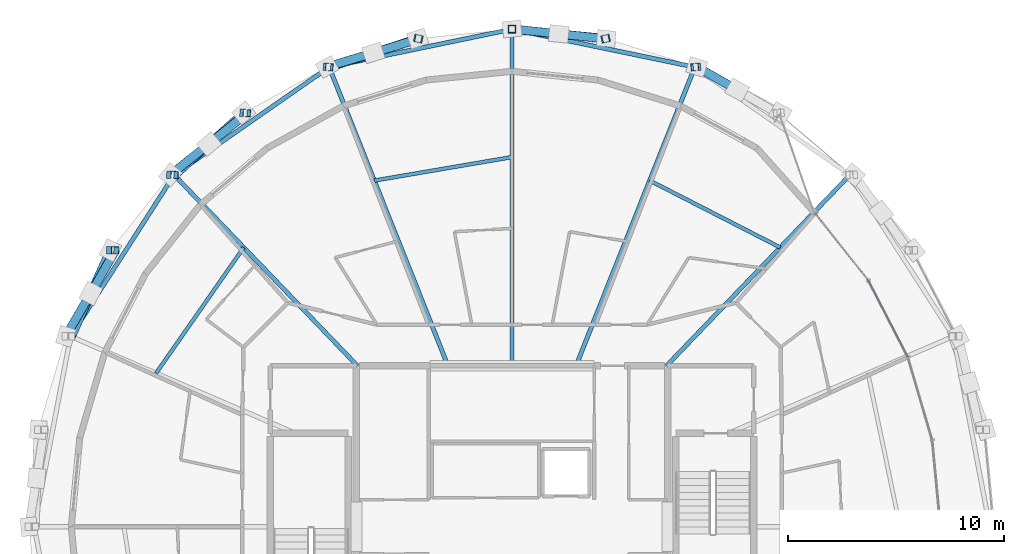
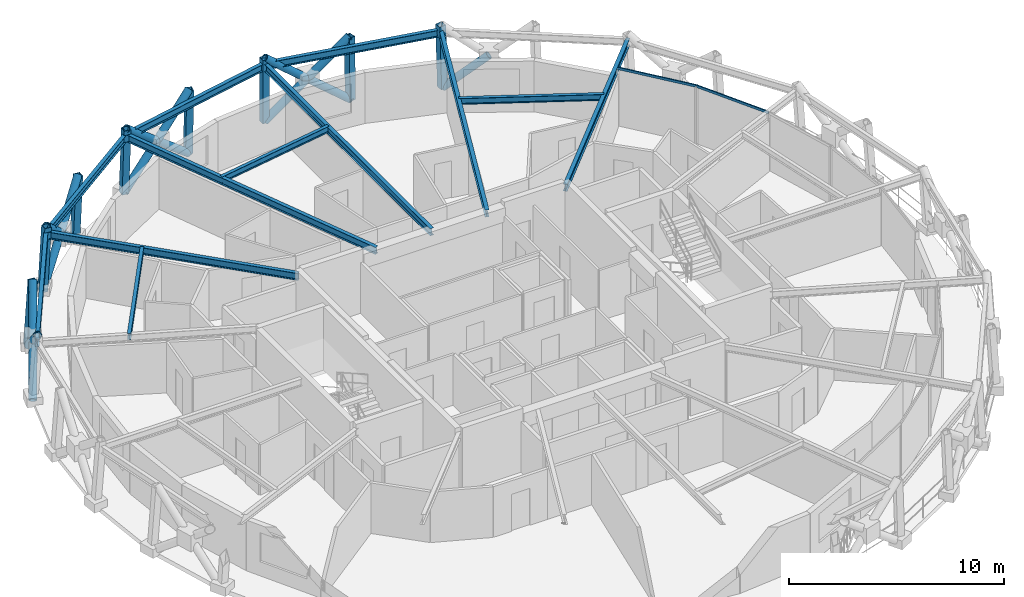
# One storey, part 7 of 15: 23 members, 12 beams, 1 element without a shape of its own.
"""IFC4 building model written with IfcOpenShell, lengths in metres."""

from ifc_helpers import new_model, si_unit, direction, frame, origin, origin_2d, place, context, subcontext, project, spatial, hollow_rectangle, hollow_circle, i_section, extrude, material, layer, layer_set, material_profile, profile_set, type_object, element, aggregate, save


model = new_model("IFC4")

# Units and contexts
model_context = context("Model", 3, precision=1e-05, world=origin(), true_north=direction((0.0, 1.0)))
body_context = subcontext(model_context, "Body", "Model", "MODEL_VIEW")
ifc_project = project(units=[si_unit("LENGTHUNIT", "METRE"), si_unit("AREAUNIT", "SQUARE_METRE"), si_unit("VOLUMEUNIT", "CUBIC_METRE"), si_unit("PLANEANGLEUNIT", "RADIAN"), si_unit("MASSUNIT", "GRAM", prefix="KILO")], contexts=[model_context])

# Site, building, storey
site_placement = place(None, origin())
site = spatial("IfcSite", under=ifc_project, at=site_placement, CompositionType="ELEMENT")
building_placement = place(site_placement, origin())
building = spatial("IfcBuilding", under=site, at=building_placement, Name="Veldorina Hangang Commons", CompositionType="ELEMENT")
storey_placement = place(building_placement, frame((0.0, 0.0, 258.0)))
storey = spatial("IfcBuildingStorey", under=building, at=storey_placement, Name="L67", CompositionType="ELEMENT", Elevation=258.0)

# Beams
ifc_material_1 = material(Name="Steel SM355-TMC", Category="steel")
ifc_material_profile_1 = material_profile(ifc_material_1, i_section(OverallWidth=0.199951171875, OverallDepth=0.39990234375, WebThickness=0.008056640625, FlangeThickness=0.012939453125, FilletRadius=0.012939453125, at=origin_2d()), Name="H-400x200x8x13")
ifc_profile_set_1 = profile_set([ifc_material_profile_1], Name="Steel SM355-TMC")
beam_type_1 = type_object("IfcBeamType", Name="BM-FG400", PredefinedType="BEAM", material=ifc_profile_set_1)
beam_1_placement = place(storey_placement, frame((39.154296875, 31.449951171875, 3.159912109375), z_axis=(0.69265262439, 0.721271337241, 0.0), x_axis=(-0.721271337241, 0.69265262439, 0.0)))
element("IfcBeam", 1, at=beam_1_placement, inside=storey, type_object=beam_type_1, Name="L67 radial floor girder 03", PredefinedType="BEAM", context=body_context, shape_type="SweptSolid", body=[
    extrude(i_section(OverallWidth=0.199951171875, OverallDepth=0.39990234375, WebThickness=0.008056640625, FlangeThickness=0.012939453125, FilletRadius=0.012939453125, at=origin_2d()), origin(), (0.0, 0.0, 1.0), 12.24169921875),
])
beam_2_placement = place(storey_placement, frame((34.96337890625, 31.449951171875, 3.159912109375), z_axis=(0.369604210272, 0.92918928521, 0.0), x_axis=(-0.92918928521, 0.369604210272, 0.0)))
element("IfcBeam", 2, at=beam_2_placement, inside=storey, type_object=beam_type_1, Name="L67 radial floor girder 04", PredefinedType="BEAM", context=body_context, shape_type="SweptSolid", body=[
    extrude(i_section(OverallWidth=0.199951171875, OverallDepth=0.39990234375, WebThickness=0.008056640625, FlangeThickness=0.012939453125, FilletRadius=0.012939453125, at=origin_2d()), origin(), (0.0, 0.0, 1.0), 14.87353515625),
])
beam_3_placement = place(storey_placement, frame((32.0, 31.449951171875, 3.159912109375), z_axis=(0.0, 1.0, 0.0), x_axis=(-1.0, 0.0, 0.0)))
element("IfcBeam", 3, at=beam_3_placement, inside=storey, type_object=beam_type_1, Name="L67 radial floor girder 05", PredefinedType="BEAM", context=body_context, shape_type="SweptSolid", body=[
    extrude(i_section(OverallWidth=0.199951171875, OverallDepth=0.39990234375, WebThickness=0.008056640625, FlangeThickness=0.012939453125, FilletRadius=0.012939453125, at=origin_2d()), origin(), (0.0, 0.0, 1.0), 15.57275390625),
])
beam_4_placement = place(storey_placement, frame((29.03662109375, 31.449951171875, 3.159912109375), z_axis=(-0.369604210272, 0.92918928521, 0.0), x_axis=(-0.92918928521, -0.369604210272, 0.0)))
element("IfcBeam", 4, at=beam_4_placement, inside=storey, type_object=beam_type_1, Name="L67 radial floor girder 06", PredefinedType="BEAM", context=body_context, shape_type="SweptSolid", body=[
    extrude(i_section(OverallWidth=0.199951171875, OverallDepth=0.39990234375, WebThickness=0.008056640625, FlangeThickness=0.012939453125, FilletRadius=0.012939453125, at=origin_2d()), origin(), (0.0, 0.0, 1.0), 14.87353515625),
])
beam_5_placement = place(storey_placement, frame((24.845703125, 31.449951171875, 3.159912109375), z_axis=(-0.69265262439, 0.721271337241, 0.0), x_axis=(-0.721271337241, -0.69265262439, 0.0)))
element("IfcBeam", 5, at=beam_5_placement, inside=storey, type_object=beam_type_1, Name="L67 radial floor girder 07", PredefinedType="BEAM", context=body_context, shape_type="SweptSolid", body=[
    extrude(i_section(OverallWidth=0.199951171875, OverallDepth=0.39990234375, WebThickness=0.008056640625, FlangeThickness=0.012939453125, FilletRadius=0.012939453125, at=origin_2d()), origin(), (0.0, 0.0, 1.0), 12.24169921875),
])
ifc_material_profile_2 = material_profile(ifc_material_1, i_section(OverallWidth=0.175048828125, OverallDepth=0.35009765625, WebThickness=0.007080078125, FlangeThickness=0.010986328125, FilletRadius=0.012939453125, at=origin_2d()), Name="H-350x175x7x11")
ifc_profile_set_2 = profile_set([ifc_material_profile_2], Name="Steel SM355-TMC")
beam_type_2 = type_object("IfcBeamType", Name="BM-JST350", PredefinedType="JOIST", material=ifc_profile_set_2)
beam_6_placement = place(storey_placement, frame((44.411376953125, 36.92431640625, 3.18505859375), z_axis=(-0.889994938613, 0.455970403912, 0.0), x_axis=(-0.455970403912, -0.889994938613, 0.0)))
element("IfcBeam", 6, at=beam_6_placement, inside=storey, type_object=beam_type_2, Name="L67 secondary floor joist 03", PredefinedType="JOIST", context=body_context, shape_type="SweptSolid", body=[
    extrude(i_section(OverallWidth=0.175048828125, OverallDepth=0.35009765625, WebThickness=0.007080078125, FlangeThickness=0.010986328125, FilletRadius=0.012939453125, at=origin_2d()), origin(), (0.0, 0.0, 1.0), 6.7861328125),
])
beam_7_placement = place(storey_placement, frame((32.0, 41.10498046875, 3.18505859375), z_axis=(-0.985773538911, -0.168078939735, 0.0), x_axis=(0.168078939735, -0.985773538911, 0.0)))
element("IfcBeam", 7, at=beam_7_placement, inside=storey, type_object=beam_type_2, Name="L67 secondary floor joist 05", PredefinedType="JOIST", context=body_context, shape_type="SweptSolid", body=[
    extrude(i_section(OverallWidth=0.175048828125, OverallDepth=0.35009765625, WebThickness=0.007080078125, FlangeThickness=0.010986328125, FilletRadius=0.012939453125, at=origin_2d()), origin(), (0.0, 0.0, 1.0), 6.4638671875),
])
beam_8_placement = place(storey_placement, frame((19.588623046875, 36.92431640625, 3.18505859375), z_axis=(-0.572006672255, -0.820248966409, 0.0), x_axis=(0.820248966409, -0.572006672255, 0.0)))
element("IfcBeam", 8, at=beam_8_placement, inside=storey, type_object=beam_type_2, Name="L67 secondary floor joist 07", PredefinedType="JOIST", context=body_context, shape_type="SweptSolid", body=[
    extrude(i_section(OverallWidth=0.175048828125, OverallDepth=0.35009765625, WebThickness=0.007080078125, FlangeThickness=0.010986328125, FilletRadius=0.012939453125, at=origin_2d()), origin(), (0.0, 0.0, 1.0), 7.095703125),
])
ifc_material_profile_3 = material_profile(ifc_material_1, i_section(OverallWidth=0.199951171875, OverallDepth=0.39990234375, WebThickness=0.008056640625, FlangeThickness=0.012939453125, FilletRadius=0.012939453125, at=origin_2d()), Name="H-400x200x8x13")
ifc_profile_set_3 = profile_set([ifc_material_profile_3], Name="Steel SM355-TMC")
beam_type_3 = type_object("IfcBeamType", Name="BM-RB400", PredefinedType="BEAM", material=ifc_profile_set_3)
for number, where, z_axis, x_axis, name in (
    (9, (40.460693359375, 45.270263671875, 3.159912109375), (-0.97921554659, 0.202822368877, 0.0), (-0.202822368877, -0.97921554659, 0.0), "L67 perimeter hoop ring beam 06"),
    (10, (32.0, 47.022705078125, 3.159912109375), (-0.97921554659, -0.202822368877, 0.0), (0.202822368877, -0.97921554659, 0.0), "L67 perimeter hoop ring beam 08"),
):
    element("IfcBeam", number, at=place(storey_placement, frame(where, z_axis=z_axis, x_axis=x_axis)), inside=storey, type_object=beam_type_3, Name=name, PredefinedType="BEAM", context=body_context, shape_type="SweptSolid", body=[
        extrude(i_section(OverallWidth=0.199951171875, OverallDepth=0.39990234375, WebThickness=0.008056640625, FlangeThickness=0.012939453125, FilletRadius=0.012939453125, at=origin_2d()), origin(), (0.0, 0.0, 1.0), 8.640380859375),
    ])
beam_9_placement = place(storey_placement, frame((23.539306640625, 45.270263671875, 3.159912109375), z_axis=(-0.820856224935, -0.571134885981, 0.0), x_axis=(0.571134885981, -0.820856224935, 0.0)))
element("IfcBeam", 11, at=beam_9_placement, inside=storey, type_object=beam_type_3, Name="L67 perimeter hoop ring beam 10", PredefinedType="BEAM", context=body_context, shape_type="SweptSolid", body=[
    extrude(i_section(OverallWidth=0.199951171875, OverallDepth=0.39990234375, WebThickness=0.008056640625, FlangeThickness=0.012939453125, FilletRadius=0.012939453125, at=origin_2d()), origin(), (0.0, 0.0, 1.0), 8.73828125),
])
beam_10_placement = place(storey_placement, frame((16.366455078125, 40.279541015625, 3.159912109375), z_axis=(-0.540026031638, -0.841648314413, 0.0), x_axis=(0.841648314413, -0.540026031638, 0.0)))
element("IfcBeam", 12, at=beam_10_placement, inside=storey, type_object=beam_type_3, Name="L67 perimeter hoop ring beam 12", PredefinedType="BEAM", context=body_context, shape_type="SweptSolid", body=[
    extrude(i_section(OverallWidth=0.199951171875, OverallDepth=0.39990234375, WebThickness=0.008056640625, FlangeThickness=0.012939453125, FilletRadius=0.012939453125, at=origin_2d()), origin(), (0.0, 0.0, 1.0), 8.87451171875),
])

# Curtain wall, members
ifc_material_2 = material(Name="Glass Low-E Selective", Category="glass")
ifc_layer = layer(ifc_material_2, 0.179931640625)
ifc_layer_set = layer_set([ifc_layer], Name="Glass Low-E Selective")
curtain_wall_type = type_object("IfcCurtainWallType", Name="CW-SYS-Z3", PredefinedType="NOTDEFINED", material=ifc_layer_set)
curtain_wall_placement = place(storey_placement, origin())
curtain_wall = element("IfcCurtainWall", 13, at=curtain_wall_placement, inside=storey, type_object=curtain_wall_type, Name="L67 unitised curtain wall CW-L67-R2", PredefinedType="NOTDEFINED")
ifc_material_3 = material(Name="Aluminium Anodized AA6063-T6", Category="aluminium")
ifc_material_profile_4 = material_profile(ifc_material_3, hollow_rectangle(XDim=0.06005859375, YDim=0.139892578125, WallThickness=0.00341796875, at=origin_2d()), Name="ALU-RHS-140x60x3.5")
ifc_profile_set_4 = profile_set([ifc_material_profile_4], Name="Aluminium Anodized AA6063-T6")
member_type_1 = type_object("IfcMemberType", Name="CW-TRN-140", PredefinedType="USERDEFINED", material=ifc_profile_set_4)
member_1_placement = place(storey_placement, frame((50.322998046875, 31.85009765625, 3.280029296875), z_axis=(-0.459063497262, 0.888403458729, 0.0), x_axis=(-0.888403458729, -0.459063497262, 0.0)))
member_1 = element("IfcMember", 14, at=member_1_placement, type_object=member_type_1, Name="CW-L67-R2 facet 4 transom 1", ObjectType="TRANSOM", PredefinedType="USERDEFINED", context=body_context, shape_type="SweptSolid", body=[
    extrude(hollow_rectangle(XDim=0.06005859375, YDim=0.139892578125, WallThickness=0.00341796875, at=origin_2d()), origin(), (0.0, 0.0, 1.0), 3.991943359375),
])
member_2_placement = place(storey_placement, frame((48.490478515625, 35.396484375, 3.280029296875), z_axis=(-0.621561391364, 0.783365455433, 0.0), x_axis=(-0.783365455433, -0.621561391364, 0.0)))
member_2 = element("IfcMember", 15, at=member_2_placement, type_object=member_type_1, Name="CW-L67-R2 facet 5 transom 1", ObjectType="TRANSOM", PredefinedType="USERDEFINED", context=body_context, shape_type="SweptSolid", body=[
    extrude(hollow_rectangle(XDim=0.06005859375, YDim=0.139892578125, WallThickness=0.00341796875, at=origin_2d()), origin(), (0.0, 0.0, 1.0), 3.96826171875),
])
aggregate(curtain_wall, [member_1, member_2])

# Members
ifc_material_profile_5 = material_profile(ifc_material_1, hollow_circle(Radius=0.199951171875, WallThickness=0.02001953125, at=origin_2d()), Name="CHS-400x20")
ifc_profile_set_5 = profile_set([ifc_material_profile_5], Name="Steel SM355-TMC")
member_type_2 = type_object("IfcMemberType", Name="DG-CHS400", PredefinedType="BRACE", material=ifc_profile_set_5)
member_3_placement = place(storey_placement, frame((40.553955078125, 45.280029296875, 0.0), z_axis=(0.665179740594, -0.378799797432, 0.643464549271), x_axis=(0.494855280034, 0.868975403462, 0.0)))
element("IfcMember", 16, at=member_3_placement, inside=storey, type_object=member_type_2, Name="L67 split perimeter diagrid lower brace 06", PredefinedType="BRACE", context=body_context, shape_type="SweptSolid", body=[
    extrude(hollow_circle(Radius=0.199951171875, WallThickness=0.02001953125, at=origin_2d()), origin(), (0.0, 0.0, 1.0), 2.810791015625),
])
member_4_placement = place(storey_placement, frame((36.36083984375, 46.5908203125, 0.0), z_axis=(-0.768940284275, 0.075895292866, 0.634799766651), x_axis=(-0.098223868467, -0.995164344047, 0.0)))
element("IfcMember", 17, at=member_4_placement, inside=storey, type_object=member_type_2, Name="L67 continuous perimeter diagrid brace 07", PredefinedType="BRACE", context=body_context, shape_type="SweptSolid", body=[
    extrude(hollow_circle(Radius=0.199951171875, WallThickness=0.02001953125, at=origin_2d()), origin(), (0.0, 0.0, 1.0), 5.671142578125),
])
member_5_placement = place(storey_placement, frame((32.0, 47.033203125, 0.0), z_axis=(0.764871989399, -0.079710071, 0.639231682893), x_axis=(0.103652273178, 0.994613596461, 0.0)))
element("IfcMember", 18, at=member_5_placement, inside=storey, type_object=member_type_2, Name="L67 split perimeter diagrid lower brace 08", PredefinedType="BRACE", context=body_context, shape_type="SweptSolid", body=[
    extrude(hollow_circle(Radius=0.199951171875, WallThickness=0.02001953125, at=origin_2d()), origin(), (0.0, 0.0, 1.0), 2.833251953125),
])
member_6_placement = place(storey_placement, frame((34.1669921875, 46.807373046875, 1.81103515625), z_axis=(0.764596244034, -0.081659297628, 0.639315526732), x_axis=(0.106196606799, 0.994345151697, 0.0)))
element("IfcMember", 19, at=member_6_placement, inside=storey, type_object=member_type_2, Name="L67 split perimeter diagrid upper brace 08", PredefinedType="BRACE", context=body_context, shape_type="SweptSolid", body=[
    extrude(hollow_circle(Radius=0.199951171875, WallThickness=0.02001953125, at=origin_2d()), origin(), (0.0, 0.0, 1.0), 2.79833984375),
])
member_7_placement = place(storey_placement, frame((27.63916015625, 46.5908203125, 0.0), z_axis=(-0.729209768478, -0.235882371344, 0.642349297848), x_axis=(0.307774886304, -0.951459205305, 0.0)))
element("IfcMember", 20, at=member_7_placement, inside=storey, type_object=member_type_2, Name="L67 continuous perimeter diagrid brace 09", PredefinedType="BRACE", context=body_context, shape_type="SweptSolid", body=[
    extrude(hollow_circle(Radius=0.199951171875, WallThickness=0.02001953125, at=origin_2d()), origin(), (0.0, 0.0, 1.0), 5.6044921875),
])
member_8_placement = place(storey_placement, frame((23.446044921875, 45.280029296875, 0.0), z_axis=(0.743646091861, 0.224698819123, 0.629683198715), x_axis=(-0.289242753829, 0.95725578053, 0.0)))
element("IfcMember", 21, at=member_8_placement, inside=storey, type_object=member_type_2, Name="L67 split perimeter diagrid lower brace 10", PredefinedType="BRACE", context=body_context, shape_type="SweptSolid", body=[
    extrude(hollow_circle(Radius=0.199951171875, WallThickness=0.02001953125, at=origin_2d()), origin(), (0.0, 0.0, 1.0), 2.875),
])
member_9_placement = place(storey_placement, frame((25.583984375, 45.926025390625, 1.810302734375), z_axis=(0.7421206145, 0.2296794587, 0.629685905659), x_axis=(-0.295654899416, 0.95529481337, 0.0)))
element("IfcMember", 22, at=member_9_placement, inside=storey, type_object=member_type_2, Name="L67 split perimeter diagrid upper brace 10", PredefinedType="BRACE", context=body_context, shape_type="SweptSolid", body=[
    extrude(hollow_circle(Radius=0.199951171875, WallThickness=0.02001953125, at=origin_2d()), origin(), (0.0, 0.0, 1.0), 2.84228515625),
])
member_10_placement = place(storey_placement, frame((19.581298828125, 43.151611328125, 0.0), z_axis=(-0.569457677768, -0.512773328971, 0.642480712805), x_axis=(0.669153187248, -0.743124492933, 0.0)))
element("IfcMember", 23, at=member_10_placement, inside=storey, type_object=member_type_2, Name="L67 continuous perimeter diagrid brace 11", PredefinedType="BRACE", context=body_context, shape_type="SweptSolid", body=[
    extrude(hollow_circle(Radius=0.199951171875, WallThickness=0.02001953125, at=origin_2d()), origin(), (0.0, 0.0, 1.0), 5.603515625),
])
member_11_placement = place(storey_placement, frame((16.194091796875, 40.287109375, 0.0), z_axis=(0.613379387785, 0.488607203366, 0.620506831115), x_axis=(-0.623063701635, 0.782171096183, 0.0)))
element("IfcMember", 24, at=member_11_placement, inside=storey, type_object=member_type_2, Name="L67 split perimeter diagrid lower brace 12", PredefinedType="BRACE", context=body_context, shape_type="SweptSolid", body=[
    extrude(hollow_circle(Radius=0.199951171875, WallThickness=0.02001953125, at=origin_2d()), origin(), (0.0, 0.0, 1.0), 2.91162109375),
])
member_12_placement = place(storey_placement, frame((17.97998046875, 41.709716796875, 1.806640625), z_axis=(0.607618730977, 0.495491063614, 0.620715783306), x_axis=(-0.631975162369, 0.774988641303, 0.0)))
element("IfcMember", 25, at=member_12_placement, inside=storey, type_object=member_type_2, Name="L67 split perimeter diagrid upper brace 12", PredefinedType="BRACE", context=body_context, shape_type="SweptSolid", body=[
    extrude(hollow_circle(Radius=0.199951171875, WallThickness=0.02001953125, at=origin_2d()), origin(), (0.0, 0.0, 1.0), 2.889404296875),
])
member_13_placement = place(storey_placement, frame((13.414306640625, 36.796630859375, 0.0), z_axis=(-0.319164924552, -0.703368855323, 0.635142507078), x_axis=(0.910633651295, -0.413214657446, 0.0)))
element("IfcMember", 26, at=member_13_placement, inside=storey, type_object=member_type_2, Name="L67 continuous perimeter diagrid brace 13", PredefinedType="BRACE", context=body_context, shape_type="SweptSolid", body=[
    extrude(hollow_circle(Radius=0.199951171875, WallThickness=0.02001953125, at=origin_2d()), origin(), (0.0, 0.0, 1.0), 5.668212890625),
])
member_14_placement = place(storey_placement, frame((11.3486328125, 32.814453125, 0.0), z_axis=(0.396871085878, 0.679610402637, 0.616946546973), x_axis=(-0.863540071885, 0.504280223931, 0.0)))
element("IfcMember", 27, at=member_14_placement, inside=storey, type_object=member_type_2, Name="L67 split perimeter diagrid lower brace 14", PredefinedType="BRACE", context=body_context, shape_type="SweptSolid", body=[
    extrude(hollow_circle(Radius=0.199951171875, WallThickness=0.02001953125, at=origin_2d()), origin(), (0.0, 0.0, 1.0), 2.922119140625),
])
member_15_placement = place(storey_placement, frame((12.50830078125, 34.80029296875, 1.802734375), z_axis=(0.390404335375, 0.683144713114, 0.617169146883), x_axis=(-0.868223471862, 0.496173359733, 0.0)))
element("IfcMember", 28, at=member_15_placement, inside=storey, type_object=member_type_2, Name="L67 split perimeter diagrid upper brace 14", PredefinedType="BRACE", context=body_context, shape_type="SweptSolid", body=[
    extrude(hollow_circle(Radius=0.199951171875, WallThickness=0.02001953125, at=origin_2d()), origin(), (0.0, 0.0, 1.0), 2.912353515625),
])
ifc_material_profile_6 = material_profile(ifc_material_1, hollow_rectangle(XDim=0.35009765625, YDim=0.35009765625, WallThickness=0.01611328125, at=origin_2d()), Name="SHS-350x350x16")
ifc_profile_set_6 = profile_set([ifc_material_profile_6], Name="Steel SM355-TMC")
member_type_3 = type_object("IfcMemberType", Name="STR-SHS350", PredefinedType="STRUT", material=ifc_profile_set_6)
member_16_placement = place(storey_placement, frame((40.553955078125, 45.280029296875, 0.0), z_axis=(-0.029486554753, -0.003118118434, 0.999560313551), x_axis=(0.105160783219, -0.994455232614, 0.0)))
element("IfcMember", 29, at=member_16_placement, inside=storey, type_object=member_type_3, Name="L67 perimeter ring node post 06", PredefinedType="STRUT", context=body_context, shape_type="SweptSolid", body=[
    extrude(hollow_rectangle(XDim=0.35009765625, YDim=0.35009765625, WallThickness=0.01611328125, at=origin_2d()), origin(), (0.0, 0.0, 1.0), 3.6015625),
])
member_17_placement = place(storey_placement, frame((36.36083984375, 46.5908203125, 0.0), z_axis=(-0.015053141245, -0.003322540185, 0.999881174773), x_axis=(0.215533022743, -0.97649655202, 0.0)))
element("IfcMember", 30, at=member_17_placement, inside=storey, type_object=member_type_3, Name="L67 perimeter ring node post 07", PredefinedType="STRUT", context=body_context, shape_type="SweptSolid", body=[
    extrude(hollow_rectangle(XDim=0.35009765625, YDim=0.35009765625, WallThickness=0.01611328125, at=origin_2d()), origin(), (0.0, 0.0, 1.0), 3.6005859375),
])
member_18_placement = place(storey_placement, frame((32.0, 47.033203125, 0.0), z_axis=(0.0, -0.003322916688, 0.999994479097), x_axis=(1.0, 0.0, 0.0)))
element("IfcMember", 31, at=member_18_placement, inside=storey, type_object=member_type_3, Name="L67 perimeter ring node post 08", PredefinedType="STRUT", context=body_context, shape_type="SweptSolid", body=[
    extrude(hollow_rectangle(XDim=0.35009765625, YDim=0.35009765625, WallThickness=0.01611328125, at=origin_2d()), origin(), (0.0, 0.0, 1.0), 3.60009765625),
])
member_19_placement = place(storey_placement, frame((27.63916015625, 46.5908203125, 0.0), z_axis=(0.015053141245, -0.003322540185, 0.999881174773), x_axis=(0.215533022743, 0.97649655202, 0.0)))
element("IfcMember", 32, at=member_19_placement, inside=storey, type_object=member_type_3, Name="L67 perimeter ring node post 09", PredefinedType="STRUT", context=body_context, shape_type="SweptSolid", body=[
    extrude(hollow_rectangle(XDim=0.35009765625, YDim=0.35009765625, WallThickness=0.01611328125, at=origin_2d()), origin(), (0.0, 0.0, 1.0), 3.6005859375),
])
member_20_placement = place(storey_placement, frame((23.446044921875, 45.280029296875, 0.0), z_axis=(0.029486554753, -0.003118118434, 0.999560313551), x_axis=(0.105160783219, 0.994455232614, 0.0)))
element("IfcMember", 33, at=member_20_placement, inside=storey, type_object=member_type_3, Name="L67 perimeter ring node post 10", PredefinedType="STRUT", context=body_context, shape_type="SweptSolid", body=[
    extrude(hollow_rectangle(XDim=0.35009765625, YDim=0.35009765625, WallThickness=0.01611328125, at=origin_2d()), origin(), (0.0, 0.0, 1.0), 3.6015625),
])
member_21_placement = place(storey_placement, frame((19.581298828125, 43.151611328125, 0.0), z_axis=(0.042819597271, -0.002845606148, 0.999078767973), x_axis=(0.066309434359, 0.997799107494, 0.0)))
element("IfcMember", 34, at=member_21_placement, inside=storey, type_object=member_type_3, Name="L67 perimeter ring node post 11", PredefinedType="STRUT", context=body_context, shape_type="SweptSolid", body=[
    extrude(hollow_rectangle(XDim=0.35009765625, YDim=0.35009765625, WallThickness=0.01611328125, at=origin_2d()), origin(), (0.0, 0.0, 1.0), 3.603515625),
])
member_22_placement = place(storey_placement, frame((16.194091796875, 40.287109375, 0.0), z_axis=(0.05444223604, -0.002437712061, 0.998513946069), x_axis=(0.044731300944, 0.998999054412, 0.0)))
element("IfcMember", 35, at=member_22_placement, inside=storey, type_object=member_type_3, Name="L67 perimeter ring node post 12", PredefinedType="STRUT", context=body_context, shape_type="SweptSolid", body=[
    extrude(hollow_rectangle(XDim=0.35009765625, YDim=0.35009765625, WallThickness=0.01611328125, at=origin_2d()), origin(), (0.0, 0.0, 1.0), 3.60546875),
])
member_23_placement = place(storey_placement, frame((13.414306640625, 36.796630859375, 0.0), z_axis=(0.064021267573, -0.001894921239, 0.997946735338), x_axis=(0.029585352235, 0.999562257657, 0.0)))
element("IfcMember", 36, at=member_23_placement, inside=storey, type_object=member_type_3, Name="L67 perimeter ring node post 13", PredefinedType="STRUT", context=body_context, shape_type="SweptSolid", body=[
    extrude(hollow_rectangle(XDim=0.35009765625, YDim=0.35009765625, WallThickness=0.01611328125, at=origin_2d()), origin(), (0.0, 0.0, 1.0), 3.607421875),
])

save(model, "model.ifc")
